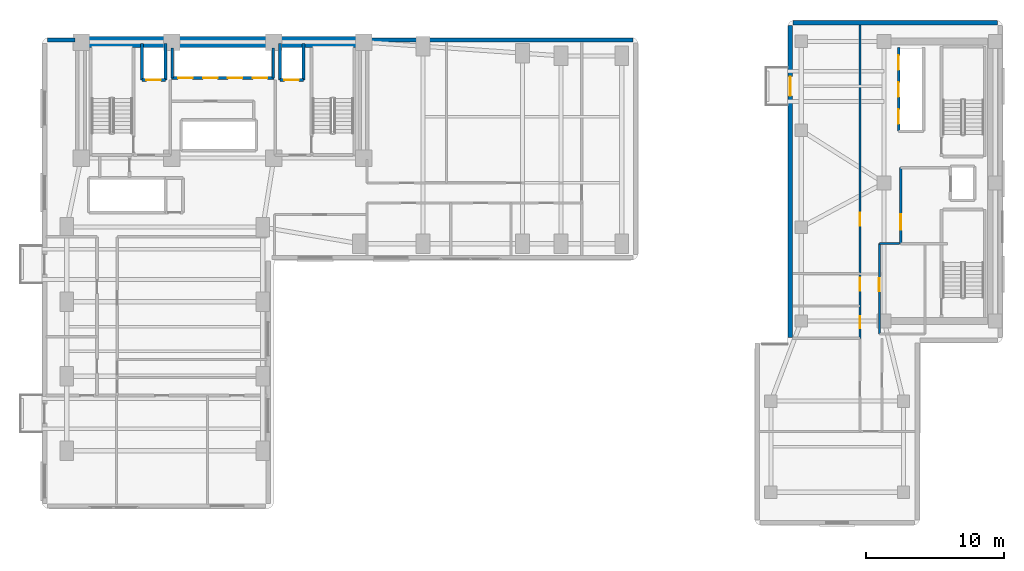
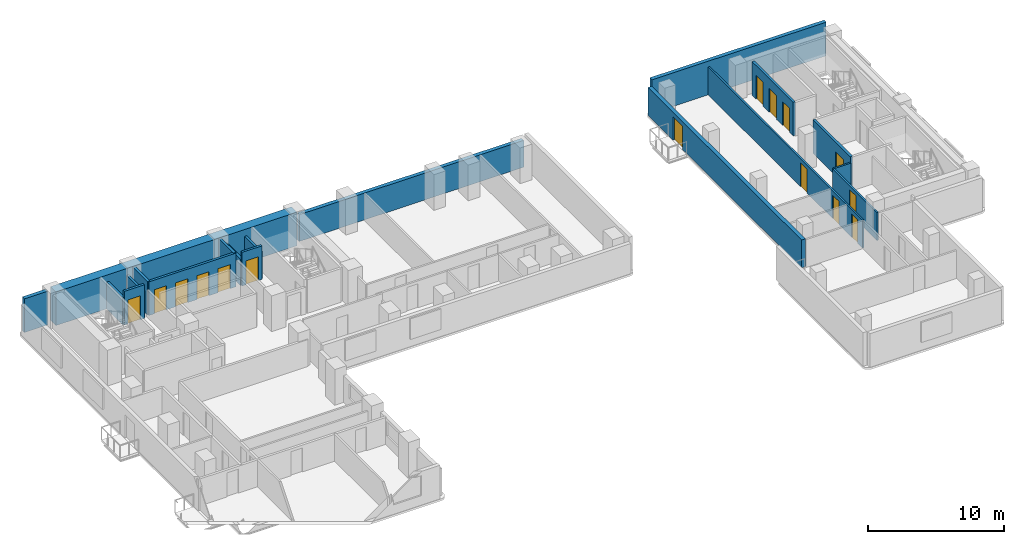
# One storey, part 11 of 15: 19 walls, 15 doors, 15 openings.
"""IFC4 building model written with IfcOpenShell, lengths in metres."""

from ifc_helpers import new_model, si_unit, direction, frame, frame_2d, origin, place, context, subcontext, project, spatial, rectangle, extrude, material, layer, layer_set, type_object, element, fill, save


model = new_model("IFC4")

# Units and contexts
model_context = context("Model", 3, precision=1e-05, world=origin(), true_north=direction((0.0, 1.0)))
body_context = subcontext(model_context, "Body", "Model", "MODEL_VIEW")
ifc_project = project(units=[si_unit("LENGTHUNIT", "METRE"), si_unit("AREAUNIT", "SQUARE_METRE"), si_unit("VOLUMEUNIT", "CUBIC_METRE"), si_unit("PLANEANGLEUNIT", "RADIAN"), si_unit("MASSUNIT", "GRAM", prefix="KILO")], contexts=[model_context])

# Site, building, storey
site_placement = place(None, origin())
site = spatial("IfcSite", under=ifc_project, at=site_placement, CompositionType="ELEMENT")
building_placement = place(site_placement, origin())
building = spatial("IfcBuilding", under=site, at=building_placement, Name="Kuzgunbayir Cultural Tower", CompositionType="ELEMENT")
storey_placement = place(building_placement, frame((0.0, 0.0, 59.60009765625)))
storey = spatial("IfcBuildingStorey", under=building, at=storey_placement, Name="L16", CompositionType="ELEMENT", Elevation=59.60009765625)

# Walls
ifc_material_1 = material(Name="Concrete C60/75", Category="concrete")
ifc_layer_1 = layer(ifc_material_1, 0.800048828125)
ifc_layer_set_1 = layer_set([ifc_layer_1], Name="Concrete C60/75")
wall_type_1 = type_object("IfcWallType", Name="WAL-CORE-800", PredefinedType="SHEAR", material=ifc_layer_set_1)
wall_1_placement = place(storey_placement, frame((6.449951171875, 42.199951171875, 0.0), z_axis=(0.0, 0.0, 1.0), x_axis=(1.0, 0.0, 0.0)))
element("IfcWall", 1, at=wall_1_placement, inside=storey, type_object=wall_type_1, Name="L16 T1 Core North Shear Wall", PredefinedType="SHEAR", context=body_context, shape_type="SweptSolid", body=[
    extrude(rectangle(XDim=20.449951171875, YDim=0.800048828125, at=frame_2d((10.22509765625, 0.0))), origin(), (0.0, 0.0, 1.0), 3.02001953125),
])
ifc_material_2 = material(Name="Travertine Buff Ashlar", Category="masonry")
ifc_layer_2 = layer(ifc_material_2, 0.320068359375)
ifc_layer_set_2 = layer_set([ifc_layer_2], Name="Travertine Buff Ashlar")
wall_type_2 = type_object("IfcWallType", Name="WAL-EXT-STONE-320", PredefinedType="STANDARD", material=ifc_layer_set_2)
wall_2_placement = place(storey_placement, frame((46.39990234375, 42.35009765625, 0.0), z_axis=(0.0, 0.0, 1.0), x_axis=(-1.0, 0.0, 0.0)))
element("IfcWall", 2, at=wall_2_placement, inside=storey, type_object=wall_type_2, Name="L16 North Wing B Limestone Wall", PredefinedType="STANDARD", context=body_context, shape_type="SweptSolid", body=[
    extrude(rectangle(XDim=19.0498046875, YDim=0.320068359375, at=frame_2d((9.52490234375, 0.0))), origin(), (0.0, 0.0, 1.0), 2.409912109375),
])
wall_3_placement = place(storey_placement, frame((6.0, 42.35009765625, 0.0), z_axis=(0.0, 0.0, 1.0), x_axis=(-1.0, 0.0, 0.0)))
element("IfcWall", 3, at=wall_3_placement, inside=storey, type_object=wall_type_2, Name="L16 Core North-West Spandrel Link", PredefinedType="STANDARD", context=body_context, shape_type="SweptSolid", body=[
    extrude(rectangle(XDim=2.0, YDim=0.320068359375, at=frame_2d((1.0, 0.0))), origin(), (0.0, 0.0, 1.0), 3.02001953125),
])

# Wall, opening, door
wall_4_placement = place(storey_placement, frame((57.800048828125, 43.39990234375, 0.0), z_axis=(0.0, 0.0, 1.0), x_axis=(0.0, -1.0, 0.0)))
wall_4 = element("IfcWall", 4, at=wall_4_placement, inside=storey, type_object=wall_type_2, Name="L16 Companion West Limestone Wall", PredefinedType="STANDARD", context=body_context, shape_type="SweptSolid", body=[
    extrude(rectangle(XDim=22.599853515625, YDim=0.320068359375, at=frame_2d((11.2998046875, 0.0))), origin(), (0.0, 0.0, 1.0), 2.5),
])
opening_1_placement = place(wall_4_placement, frame((3.699951171875, 0.0, 0.0)))
opening_1 = element("IfcOpeningElement", 5, at=opening_1_placement, cuts=wall_4, Name="Opening BD-15", PredefinedType="OPENING", context=body_context, shape_type="SweptSolid", body=[
    extrude(rectangle(XDim=1.39990234375, YDim=2.10009765625, at=frame_2d((0.699951171875, 1.050048828125))), frame((0.0, 0.169921875, 0.0), z_axis=(0.0, -1.0, 0.0), x_axis=(1.0, 0.0, 0.0)), (0.0, 0.0, 1.0), 0.340087890625),
])
ifc_material_3 = material(Name="Thermally Broken Glazed Aluminium", Category="aluminium")
door_type_1 = type_object("IfcDoorType", Name="DR-BALCONY-150", OperationType="SLIDING_TO_RIGHT", PredefinedType="DOOR", material=ifc_material_3)
door_1_placement = place(opening_1_placement, origin())
door_1 = element("IfcDoor", 6, at=door_1_placement, inside=storey, type_object=door_type_1, Name="L16 Companion Balcony Door BAL-L16-T2W3", OperationType="SLIDING_TO_RIGHT", OverallHeight=2.10009765625, OverallWidth=1.39990234375, PredefinedType="DOOR", context=body_context, shape_type="SweptSolid", body=[
    extrude(rectangle(XDim=1.39990234375, YDim=2.10009765625, at=frame_2d((0.699951171875, 1.050048828125))), frame((0.0, 0.02490234375, 0.0), z_axis=(0.0, -1.0, 0.0), x_axis=(1.0, 0.0, 0.0)), (0.0, 0.0, 1.0), 0.050048828125),
])
fill(opening_1, door_1)

# Wall
wall_5_placement = place(storey_placement, frame((72.800048828125, 43.60009765625, 0.0), z_axis=(0.0, 0.0, 1.0), x_axis=(-1.0, 0.0, 0.0)))
element("IfcWall", 7, at=wall_5_placement, inside=storey, type_object=wall_type_2, Name="L16 Companion North Limestone Wall", PredefinedType="STANDARD", context=body_context, shape_type="SweptSolid", body=[
    extrude(rectangle(XDim=14.800048828125, YDim=0.320068359375, at=frame_2d((7.39990234375, 0.0))), origin(), (0.0, 0.0, 1.0), 3.02001953125),
])

# Wall, opening, door
ifc_material_4 = material(Name="Acoustic Double-Stud Drywall", Category="gypsum")
ifc_layer_3 = layer(ifc_material_4, 0.14990234375)
ifc_layer_set_3 = layer_set([ifc_layer_3], Name="Acoustic Double-Stud Drywall")
wall_type_3 = type_object("IfcWallType", Name="WAL-PART-ACOUSTIC-150", PredefinedType="PARTITIONING", material=ifc_layer_set_3)
wall_6_placement = place(storey_placement, frame((64.25, 21.050048828125, 0.0), z_axis=(0.0, 0.0, 1.0), x_axis=(0.0, 1.0, 0.0)))
wall_6 = element("IfcWall", 8, at=wall_6_placement, inside=storey, type_object=wall_type_3, Name="L16 Companion Archive West Wall", PredefinedType="PARTITIONING", context=body_context, shape_type="SweptSolid", body=[
    extrude(rectangle(XDim=6.550048828125, YDim=0.14990234375, at=frame_2d((3.27490234375, 0.0))), origin(), (0.0, 0.0, 1.0), 2.5),
])
opening_2_placement = place(wall_6_placement, frame((3.10009765625, 0.0, 0.0)))
opening_2 = element("IfcOpeningElement", 9, at=opening_2_placement, cuts=wall_6, Name="Opening DI-90", PredefinedType="OPENING", context=body_context, shape_type="SweptSolid", body=[
    extrude(rectangle(XDim=0.949951171875, YDim=2.14990234375, at=frame_2d((0.47509765625, 1.074951171875))), frame((0.0, 0.0849609375, 0.0), z_axis=(0.0, -1.0, 0.0), x_axis=(1.0, 0.0, 0.0)), (0.0, 0.0, 1.0), 0.169921875),
])
ifc_material_5 = material(Name="Veneered Oak Single Leaf", Category="wood")
door_type_2 = type_object("IfcDoorType", Name="DR-INT-90", OperationType="NOTDEFINED", PredefinedType="DOOR", material=ifc_material_5)
door_2_placement = place(opening_2_placement, origin())
door_2 = element("IfcDoor", 10, at=door_2_placement, inside=storey, type_object=door_type_2, Name="L16 Companion Archive Door", OperationType="SINGLE_SWING_LEFT", OverallHeight=2.14990234375, OverallWidth=0.949951171875, PredefinedType="DOOR", context=body_context, shape_type="SweptSolid", body=[
    extrude(rectangle(XDim=0.949951171875, YDim=2.14990234375, at=frame_2d((0.47509765625, 1.074951171875))), frame((0.0, 0.02490234375, 0.0), z_axis=(0.0, -1.0, 0.0), x_axis=(1.0, 0.0, 0.0)), (0.0, 0.0, 1.0), 0.050048828125),
])
fill(opening_2, door_2)

# Wall
wall_7_placement = place(storey_placement, frame((64.25, 27.60009765625, 0.0), z_axis=(0.0, 0.0, 1.0), x_axis=(1.0, 0.0, 0.0)))
element("IfcWall", 11, at=wall_7_placement, inside=storey, type_object=wall_type_3, Name="L16 Companion Archive North Wall", PredefinedType="PARTITIONING", context=body_context, shape_type="SweptSolid", body=[
    extrude(rectangle(XDim=1.469970703125, YDim=0.14990234375, at=frame_2d((0.73486328125, 0.0))), origin(), (0.0, 0.0, 1.0), 2.5),
])

# Wall, openings, doors
wall_8_placement = place(storey_placement, frame((62.85009765625, 20.75, 0.0), z_axis=(0.0, 0.0, 1.0), x_axis=(0.0, 1.0, 0.0)))
wall_8 = element("IfcWall", 12, at=wall_8_placement, inside=storey, type_object=wall_type_3, Name="L16 Companion Corridor West Wall", PredefinedType="PARTITIONING", context=body_context, shape_type="SweptSolid", body=[
    extrude(rectangle(XDim=22.699951171875, YDim=0.14990234375, at=frame_2d((11.35009765625, 0.0))), origin(), (0.0, 0.0, 1.0), 2.5),
])
opening_3_placement = place(wall_8_placement, frame((0.72998046875, 0.0, 0.0)))
opening_3 = element("IfcOpeningElement", 13, at=opening_3_placement, cuts=wall_8, Name="Opening DW-85", PredefinedType="OPENING", context=body_context, shape_type="SweptSolid", body=[
    extrude(rectangle(XDim=0.85009765625, YDim=2.10009765625, at=frame_2d((0.425048828125, 1.050048828125))), frame((0.0, 0.0849609375, 0.0), z_axis=(0.0, -1.0, 0.0), x_axis=(1.0, 0.0, 0.0)), (0.0, 0.0, 1.0), 0.169921875),
])
opening_4_placement = place(wall_8_placement, frame((3.429931640625, 0.0, 0.0)))
opening_4 = element("IfcOpeningElement", 14, at=opening_4_placement, cuts=wall_8, Name="Opening DW-95", PredefinedType="OPENING", context=body_context, shape_type="SweptSolid", body=[
    extrude(rectangle(XDim=0.949951171875, YDim=2.10009765625, at=frame_2d((0.47509765625, 1.050048828125))), frame((0.0, 0.0849609375, 0.0), z_axis=(0.0, -1.0, 0.0), x_axis=(1.0, 0.0, 0.0)), (0.0, 0.0, 1.0), 0.169921875),
])
opening_5_placement = place(wall_8_placement, frame((8.14990234375, 0.0, 0.0)))
opening_5 = element("IfcOpeningElement", 15, at=opening_5_placement, cuts=wall_8, Name="Opening DI-90", PredefinedType="OPENING", context=body_context, shape_type="SweptSolid", body=[
    extrude(rectangle(XDim=0.949951171875, YDim=2.14990234375, at=frame_2d((0.47509765625, 1.074951171875))), frame((0.0, 0.0849609375, 0.0), z_axis=(0.0, -1.0, 0.0), x_axis=(1.0, 0.0, 0.0)), (0.0, 0.0, 1.0), 0.169921875),
])
door_3_placement = place(opening_5_placement, origin())
door_3 = element("IfcDoor", 16, at=door_3_placement, inside=storey, type_object=door_type_2, Name="L16 Companion Culinary Tasting Pantry 1 Door", OperationType="SINGLE_SWING_RIGHT", OverallHeight=2.14990234375, OverallWidth=0.949951171875, PredefinedType="DOOR", context=body_context, shape_type="SweptSolid", body=[
    extrude(rectangle(XDim=0.949951171875, YDim=2.14990234375, at=frame_2d((0.47509765625, 1.074951171875))), frame((0.0, 0.02490234375, 0.0), z_axis=(0.0, -1.0, 0.0), x_axis=(1.0, 0.0, 0.0)), (0.0, 0.0, 1.0), 0.050048828125),
])
fill(opening_5, door_3)
ifc_material_6 = material(Name="Laminate Moisture-Resistant Leaf", Category="wood")
door_type_3 = type_object("IfcDoorType", Name="DR-WET-85", OperationType="NOTDEFINED", PredefinedType="DOOR", material=ifc_material_6)
door_4_placement = place(opening_3_placement, origin())
door_4 = element("IfcDoor", 17, at=door_4_placement, inside=storey, type_object=door_type_3, Name="L16 Companion WC Door", OperationType="SINGLE_SWING_RIGHT", OverallHeight=2.10009765625, OverallWidth=0.85009765625, PredefinedType="DOOR", context=body_context, shape_type="SweptSolid", body=[
    extrude(rectangle(XDim=0.85009765625, YDim=2.10009765625, at=frame_2d((0.425048828125, 1.050048828125))), frame((0.0, 0.02490234375, 0.0), z_axis=(0.0, -1.0, 0.0), x_axis=(1.0, 0.0, 0.0)), (0.0, 0.0, 1.0), 0.050048828125),
])
fill(opening_3, door_4)
door_type_4 = type_object("IfcDoorType", Name="DR-WET-95", OperationType="NOTDEFINED", PredefinedType="DOOR", material=ifc_material_6)
door_5_placement = place(opening_4_placement, origin())
door_5 = element("IfcDoor", 18, at=door_5_placement, inside=storey, type_object=door_type_4, Name="L16 Companion Accessible WC Door", OperationType="SINGLE_SWING_LEFT", OverallHeight=2.10009765625, OverallWidth=0.949951171875, PredefinedType="DOOR", context=body_context, shape_type="SweptSolid", body=[
    extrude(rectangle(XDim=0.949951171875, YDim=2.10009765625, at=frame_2d((0.47509765625, 1.050048828125))), frame((0.0, 0.02490234375, 0.0), z_axis=(0.0, -1.0, 0.0), x_axis=(1.0, 0.0, 0.0)), (0.0, 0.0, 1.0), 0.050048828125),
])
fill(opening_4, door_5)

# Wall, opening, door
ifc_material_7 = material(Name="Aerated Concrete Blockwork", Category="masonry")
ifc_layer_4 = layer(ifc_material_7, 0.199951171875)
ifc_layer_set_4 = layer_set([ifc_layer_4], Name="Aerated Concrete Blockwork")
wall_type_4 = type_object("IfcWallType", Name="WAL-PART-FIRE-200", PredefinedType="PARTITIONING", material=ifc_layer_set_4)
wall_9_placement = place(storey_placement, frame((65.800048828125, 27.60009765625, 0.0), z_axis=(0.0, 0.0, 1.0), x_axis=(0.0, 1.0, 0.0)))
wall_9 = element("IfcWall", 19, at=wall_9_placement, inside=storey, type_object=wall_type_4, Name="L16 FFL-3 Lobby West Fire Wall", PredefinedType="PARTITIONING", context=body_context, shape_type="SweptSolid", body=[
    extrude(rectangle(XDim=5.5, YDim=0.199951171875, at=frame_2d((2.75, 0.0))), origin(), (0.0, 0.0, 1.0), 3.02001953125),
])
opening_6_placement = place(wall_9_placement, frame((1.0, 0.0, 0.0)))
opening_6 = element("IfcOpeningElement", 20, at=opening_6_placement, cuts=wall_9, Name="Opening DR-FFL-90", PredefinedType="OPENING", context=body_context, shape_type="SweptSolid", body=[
    extrude(rectangle(XDim=1.14990234375, YDim=2.14990234375, at=frame_2d((0.574951171875, 1.074951171875))), frame((0.0, 0.10986328125, 0.0), z_axis=(0.0, -1.0, 0.0), x_axis=(1.0, 0.0, 0.0)), (0.0, 0.0, 1.0), 0.219970703125),
])
ifc_material_8 = material(Name="Steel S355J2", Category="steel")
door_type_5 = type_object("IfcDoorType", Name="DR-FFL-90", OperationType="NOTDEFINED", PredefinedType="DOOR", material=ifc_material_8)
door_6_placement = place(opening_6_placement, origin())
door_6 = element("IfcDoor", 21, at=door_6_placement, inside=storey, type_object=door_type_5, Name="L16 Firefighting Lobby 3 Door", OperationType="SINGLE_SWING_RIGHT", OverallHeight=2.14990234375, OverallWidth=1.14990234375, PredefinedType="DOOR", context=body_context, shape_type="SweptSolid", body=[
    extrude(rectangle(XDim=1.14990234375, YDim=2.14990234375, at=frame_2d((0.574951171875, 1.074951171875))), frame((0.0, 0.02490234375, 0.0), z_axis=(0.0, -1.0, 0.0), x_axis=(1.0, 0.0, 0.0)), (0.0, 0.0, 1.0), 0.050048828125),
])
fill(opening_6, door_6)

ifc_material_9 = material(Name="Concrete C40/50", Category="concrete")
ifc_layer_5 = layer(ifc_material_9, 0.199951171875)
ifc_layer_set_5 = layer_set([ifc_layer_5], Name="Concrete C40/50")
wall_type_5 = type_object("IfcWallType", Name="WAL-SHAFT-200", PredefinedType="MOVABLE", material=ifc_layer_set_5)
wall_10_placement = place(storey_placement, frame((10.85009765625, 39.449951171875, 0.0), z_axis=(0.0, 0.0, 1.0), x_axis=(1.0, 0.0, 0.0)))
wall_10 = element("IfcWall", 22, at=wall_10_placement, inside=storey, type_object=wall_type_5, Name="L16 FFL-1 Lift Front Wall", PredefinedType="MOVABLE", context=body_context, shape_type="SweptSolid", body=[
    extrude(rectangle(XDim=1.699951171875, YDim=0.199951171875, at=frame_2d((0.85009765625, 0.0))), origin(), (0.0, 0.0, 1.0), 3.02001953125),
])
opening_7_placement = place(wall_10_placement, frame((0.320068359375, 0.0, 0.0)))
opening_7 = element("IfcOpeningElement", 23, at=opening_7_placement, cuts=wall_10, Name="Opening LD", PredefinedType="OPENING", context=body_context, shape_type="SweptSolid", body=[
    extrude(rectangle(XDim=1.050048828125, YDim=2.14990234375, at=frame_2d((0.52490234375, 1.074951171875))), frame((0.0, 0.10986328125, 0.0), z_axis=(0.0, -1.0, 0.0), x_axis=(1.0, 0.0, 0.0)), (0.0, 0.0, 1.0), 0.219970703125),
])
ifc_material_10 = material(Name="Brushed Stainless Steel", Category="steel")
door_type_6 = type_object("IfcDoorType", Name="DR-LIFT-LANDING", OperationType="SLIDING_TO_LEFT", PredefinedType="DOOR", material=ifc_material_10)
door_7_placement = place(opening_7_placement, origin())
door_7 = element("IfcDoor", 24, at=door_7_placement, inside=storey, type_object=door_type_6, Name="L16 Lift FFL-1 Landing Door", OperationType="SLIDING_TO_LEFT", OverallHeight=2.14990234375, OverallWidth=1.050048828125, PredefinedType="DOOR", context=body_context, shape_type="SweptSolid", body=[
    extrude(rectangle(XDim=1.050048828125, YDim=2.14990234375, at=frame_2d((0.52490234375, 1.074951171875))), frame((0.0, 0.02490234375, 0.0), z_axis=(0.0, -1.0, 0.0), x_axis=(1.0, 0.0, 0.0)), (0.0, 0.0, 1.0), 0.050048828125),
])
fill(opening_7, door_7)

wall_11_placement = place(storey_placement, frame((20.85009765625, 39.449951171875, 0.0), z_axis=(0.0, 0.0, 1.0), x_axis=(1.0, 0.0, 0.0)))
wall_11 = element("IfcWall", 25, at=wall_11_placement, inside=storey, type_object=wall_type_5, Name="L16 FFL-2 Lift Front Wall", PredefinedType="MOVABLE", context=body_context, shape_type="SweptSolid", body=[
    extrude(rectangle(XDim=1.699951171875, YDim=0.199951171875, at=frame_2d((0.85009765625, 0.0))), origin(), (0.0, 0.0, 1.0), 3.02001953125),
])
opening_8_placement = place(wall_11_placement, frame((0.320068359375, 0.0, 0.0)))
opening_8 = element("IfcOpeningElement", 26, at=opening_8_placement, cuts=wall_11, Name="Opening LD", PredefinedType="OPENING", context=body_context, shape_type="SweptSolid", body=[
    extrude(rectangle(XDim=1.050048828125, YDim=2.14990234375, at=frame_2d((0.52490234375, 1.074951171875))), frame((0.0, 0.10986328125, 0.0), z_axis=(0.0, -1.0, 0.0), x_axis=(1.0, 0.0, 0.0)), (0.0, 0.0, 1.0), 0.219970703125),
])
door_8_placement = place(opening_8_placement, origin())
door_8 = element("IfcDoor", 27, at=door_8_placement, inside=storey, type_object=door_type_6, Name="L16 Lift FFL-2 Landing Door", OperationType="SLIDING_TO_LEFT", OverallHeight=2.14990234375, OverallWidth=1.050048828125, PredefinedType="DOOR", context=body_context, shape_type="SweptSolid", body=[
    extrude(rectangle(XDim=1.050048828125, YDim=2.14990234375, at=frame_2d((0.52490234375, 1.074951171875))), frame((0.0, 0.02490234375, 0.0), z_axis=(0.0, -1.0, 0.0), x_axis=(1.0, 0.0, 0.0)), (0.0, 0.0, 1.0), 0.050048828125),
])
fill(opening_8, door_8)

# Walls
for number, where, z_axis, x_axis, name in (
    (28, (10.85009765625, 39.449951171875, 0.0), (0.0, 0.0, 1.0), (0.0, 1.0, 0.0), "L16 FFL-1 Shaft West Wall"),
    (29, (12.550048828125, 39.449951171875, 0.0), (0.0, 0.0, 1.0), (0.0, 1.0, 0.0), "L16 FFL-1 Shaft East Wall"),
    (30, (20.85009765625, 39.449951171875, 0.0), (0.0, 0.0, 1.0), (0.0, 1.0, 0.0), "L16 FFL-2 Shaft West Wall"),
    (31, (22.550048828125, 39.449951171875, 0.0), (0.0, 0.0, 1.0), (0.0, 1.0, 0.0), "L16 FFL-2 Shaft East Wall"),
):
    element("IfcWall", number, at=place(storey_placement, frame(where, z_axis=z_axis, x_axis=x_axis)), inside=storey, type_object=wall_type_5, Name=name, PredefinedType="MOVABLE", context=body_context, shape_type="SweptSolid", body=[
        extrude(rectangle(XDim=2.650146484375, YDim=0.199951171875, at=frame_2d((1.3251953125, 0.0))), origin(), (0.0, 0.0, 1.0), 2.409912109375),
    ])

# Wall, openings, doors
wall_12_placement = place(storey_placement, frame((13.0, 39.60009765625, 0.0), z_axis=(0.0, 0.0, 1.0), x_axis=(1.0, 0.0, 0.0)))
wall_12 = element("IfcWall", 32, at=wall_12_placement, inside=storey, type_object=wall_type_5, Name="L16 Low-Rise Lift Front Wall", PredefinedType="MOVABLE", context=body_context, shape_type="SweptSolid", body=[
    extrude(rectangle(XDim=7.39990234375, YDim=0.199951171875, at=frame_2d((3.699951171875, 0.0))), origin(), (0.0, 0.0, 1.0), 3.02001953125),
])
opening_9_placement = place(wall_12_placement, frame((0.469970703125, 0.0, 0.0)))
opening_9 = element("IfcOpeningElement", 33, at=opening_9_placement, cuts=wall_12, Name="Opening LD", PredefinedType="OPENING", context=body_context, shape_type="SweptSolid", body=[
    extrude(rectangle(XDim=1.050048828125, YDim=2.14990234375, at=frame_2d((0.52490234375, 1.074951171875))), frame((0.0, 0.10986328125, 0.0), z_axis=(0.0, -1.0, 0.0), x_axis=(1.0, 0.0, 0.0)), (0.0, 0.0, 1.0), 0.219970703125),
])
opening_10_placement = place(wall_12_placement, frame((2.280029296875, 0.0, 0.0)))
opening_10 = element("IfcOpeningElement", 34, at=opening_10_placement, cuts=wall_12, Name="Opening LD", PredefinedType="OPENING", context=body_context, shape_type="SweptSolid", body=[
    extrude(rectangle(XDim=1.050048828125, YDim=2.14990234375, at=frame_2d((0.52490234375, 1.074951171875))), frame((0.0, 0.10986328125, 0.0), z_axis=(0.0, -1.0, 0.0), x_axis=(1.0, 0.0, 0.0)), (0.0, 0.0, 1.0), 0.219970703125),
])
opening_11_placement = place(wall_12_placement, frame((4.080078125, 0.0, 0.0)))
opening_11 = element("IfcOpeningElement", 35, at=opening_11_placement, cuts=wall_12, Name="Opening LD", PredefinedType="OPENING", context=body_context, shape_type="SweptSolid", body=[
    extrude(rectangle(XDim=1.050048828125, YDim=2.14990234375, at=frame_2d((0.52490234375, 1.074951171875))), frame((0.0, 0.10986328125, 0.0), z_axis=(0.0, -1.0, 0.0), x_axis=(1.0, 0.0, 0.0)), (0.0, 0.0, 1.0), 0.219970703125),
])
opening_12_placement = place(wall_12_placement, frame((5.8798828125, 0.0, 0.0)))
opening_12 = element("IfcOpeningElement", 36, at=opening_12_placement, cuts=wall_12, Name="Opening LD", PredefinedType="OPENING", context=body_context, shape_type="SweptSolid", body=[
    extrude(rectangle(XDim=1.050048828125, YDim=2.14990234375, at=frame_2d((0.52490234375, 1.074951171875))), frame((0.0, 0.10986328125, 0.0), z_axis=(0.0, -1.0, 0.0), x_axis=(1.0, 0.0, 0.0)), (0.0, 0.0, 1.0), 0.219970703125),
])
door_9_placement = place(opening_9_placement, origin())
door_9 = element("IfcDoor", 37, at=door_9_placement, inside=storey, type_object=door_type_6, Name="L16 Lift PL-1 Landing Door", OperationType="SLIDING_TO_LEFT", OverallHeight=2.14990234375, OverallWidth=1.050048828125, PredefinedType="DOOR", context=body_context, shape_type="SweptSolid", body=[
    extrude(rectangle(XDim=1.050048828125, YDim=2.14990234375, at=frame_2d((0.52490234375, 1.074951171875))), frame((0.0, 0.02490234375, 0.0), z_axis=(0.0, -1.0, 0.0), x_axis=(1.0, 0.0, 0.0)), (0.0, 0.0, 1.0), 0.050048828125),
])
fill(opening_9, door_9)
door_10_placement = place(opening_10_placement, origin())
door_10 = element("IfcDoor", 38, at=door_10_placement, inside=storey, type_object=door_type_6, Name="L16 Lift PL-2 Landing Door", OperationType="SLIDING_TO_LEFT", OverallHeight=2.14990234375, OverallWidth=1.050048828125, PredefinedType="DOOR", context=body_context, shape_type="SweptSolid", body=[
    extrude(rectangle(XDim=1.050048828125, YDim=2.14990234375, at=frame_2d((0.52490234375, 1.074951171875))), frame((0.0, 0.02490234375, 0.0), z_axis=(0.0, -1.0, 0.0), x_axis=(1.0, 0.0, 0.0)), (0.0, 0.0, 1.0), 0.050048828125),
])
fill(opening_10, door_10)
door_11_placement = place(opening_11_placement, origin())
door_11 = element("IfcDoor", 39, at=door_11_placement, inside=storey, type_object=door_type_6, Name="L16 Lift PL-3 Landing Door", OperationType="SLIDING_TO_LEFT", OverallHeight=2.14990234375, OverallWidth=1.050048828125, PredefinedType="DOOR", context=body_context, shape_type="SweptSolid", body=[
    extrude(rectangle(XDim=1.050048828125, YDim=2.14990234375, at=frame_2d((0.52490234375, 1.074951171875))), frame((0.0, 0.02490234375, 0.0), z_axis=(0.0, -1.0, 0.0), x_axis=(1.0, 0.0, 0.0)), (0.0, 0.0, 1.0), 0.050048828125),
])
fill(opening_11, door_11)
door_12_placement = place(opening_12_placement, origin())
door_12 = element("IfcDoor", 40, at=door_12_placement, inside=storey, type_object=door_type_6, Name="L16 Lift PL-4 Landing Door", OperationType="SLIDING_TO_LEFT", OverallHeight=2.14990234375, OverallWidth=1.050048828125, PredefinedType="DOOR", context=body_context, shape_type="SweptSolid", body=[
    extrude(rectangle(XDim=1.050048828125, YDim=2.14990234375, at=frame_2d((0.52490234375, 1.074951171875))), frame((0.0, 0.02490234375, 0.0), z_axis=(0.0, -1.0, 0.0), x_axis=(1.0, 0.0, 0.0)), (0.0, 0.0, 1.0), 0.050048828125),
])
fill(opening_12, door_12)

# Walls
for number, where, z_axis, x_axis, name in (
    (41, (13.050048828125, 39.60009765625, 0.0), (0.0, 0.0, 1.0), (0.0, 1.0, 0.0), "L16 Low-Rise Lift Shaft West Wall"),
    (42, (20.35009765625, 39.60009765625, 0.0), (0.0, 0.0, 1.0), (0.0, 1.0, 0.0), "L16 Low-Rise Lift Shaft East Wall"),
):
    element("IfcWall", number, at=place(storey_placement, frame(where, z_axis=z_axis, x_axis=x_axis)), inside=storey, type_object=wall_type_5, Name=name, PredefinedType="MOVABLE", context=body_context, shape_type="SweptSolid", body=[
        extrude(rectangle(XDim=2.179931640625, YDim=0.199951171875, at=frame_2d((1.08984375, 0.0))), origin(), (0.0, 0.0, 1.0), 3.02001953125),
    ])

# Wall, openings, doors
wall_13_placement = place(storey_placement, frame((65.64990234375, 35.75, 0.0), z_axis=(0.0, 0.0, 1.0), x_axis=(0.0, 1.0, 0.0)))
wall_13 = element("IfcWall", 43, at=wall_13_placement, inside=storey, type_object=wall_type_5, Name="L16 Companion Lift Front Wall", PredefinedType="MOVABLE", context=body_context, shape_type="SweptSolid", body=[
    extrude(rectangle(XDim=6.050048828125, YDim=0.199951171875, at=frame_2d((3.02490234375, 0.0))), origin(), (0.0, 0.0, 1.0), 3.02001953125),
])
opening_13_placement = place(wall_13_placement, frame((0.52001953125, 0.0, 0.0)))
opening_13 = element("IfcOpeningElement", 44, at=opening_13_placement, cuts=wall_13, Name="Opening LD", PredefinedType="OPENING", context=body_context, shape_type="SweptSolid", body=[
    extrude(rectangle(XDim=1.050048828125, YDim=2.14990234375, at=frame_2d((0.52490234375, 1.074951171875))), frame((0.0, 0.10986328125, 0.0), z_axis=(0.0, -1.0, 0.0), x_axis=(1.0, 0.0, 0.0)), (0.0, 0.0, 1.0), 0.219970703125),
])
opening_14_placement = place(wall_13_placement, frame((2.47998046875, 0.0, 0.0)))
opening_14 = element("IfcOpeningElement", 45, at=opening_14_placement, cuts=wall_13, Name="Opening LD", PredefinedType="OPENING", context=body_context, shape_type="SweptSolid", body=[
    extrude(rectangle(XDim=1.050048828125, YDim=2.14990234375, at=frame_2d((0.52490234375, 1.074951171875))), frame((0.0, 0.10986328125, 0.0), z_axis=(0.0, -1.0, 0.0), x_axis=(1.0, 0.0, 0.0)), (0.0, 0.0, 1.0), 0.219970703125),
])
opening_15_placement = place(wall_13_placement, frame((4.429931640625, 0.0, 0.0)))
opening_15 = element("IfcOpeningElement", 46, at=opening_15_placement, cuts=wall_13, Name="Opening LD", PredefinedType="OPENING", context=body_context, shape_type="SweptSolid", body=[
    extrude(rectangle(XDim=1.050048828125, YDim=2.14990234375, at=frame_2d((0.52490234375, 1.074951171875))), frame((0.0, 0.10986328125, 0.0), z_axis=(0.0, -1.0, 0.0), x_axis=(1.0, 0.0, 0.0)), (0.0, 0.0, 1.0), 0.219970703125),
])
door_13_placement = place(opening_13_placement, origin())
door_13 = element("IfcDoor", 47, at=door_13_placement, inside=storey, type_object=door_type_6, Name="L16 Lift PC-1 Landing Door", OperationType="SLIDING_TO_LEFT", OverallHeight=2.14990234375, OverallWidth=1.050048828125, PredefinedType="DOOR", context=body_context, shape_type="SweptSolid", body=[
    extrude(rectangle(XDim=1.050048828125, YDim=2.14990234375, at=frame_2d((0.52490234375, 1.074951171875))), frame((0.0, 0.02490234375, 0.0), z_axis=(0.0, -1.0, 0.0), x_axis=(1.0, 0.0, 0.0)), (0.0, 0.0, 1.0), 0.050048828125),
])
fill(opening_13, door_13)
door_14_placement = place(opening_14_placement, origin())
door_14 = element("IfcDoor", 48, at=door_14_placement, inside=storey, type_object=door_type_6, Name="L16 Lift PC-2 Landing Door", OperationType="SLIDING_TO_LEFT", OverallHeight=2.14990234375, OverallWidth=1.050048828125, PredefinedType="DOOR", context=body_context, shape_type="SweptSolid", body=[
    extrude(rectangle(XDim=1.050048828125, YDim=2.14990234375, at=frame_2d((0.52490234375, 1.074951171875))), frame((0.0, 0.02490234375, 0.0), z_axis=(0.0, -1.0, 0.0), x_axis=(1.0, 0.0, 0.0)), (0.0, 0.0, 1.0), 0.050048828125),
])
fill(opening_14, door_14)
door_15_placement = place(opening_15_placement, origin())
door_15 = element("IfcDoor", 49, at=door_15_placement, inside=storey, type_object=door_type_6, Name="L16 Lift PC-3 Landing Door", OperationType="SLIDING_TO_LEFT", OverallHeight=2.14990234375, OverallWidth=1.050048828125, PredefinedType="DOOR", context=body_context, shape_type="SweptSolid", body=[
    extrude(rectangle(XDim=1.050048828125, YDim=2.14990234375, at=frame_2d((0.52490234375, 1.074951171875))), frame((0.0, 0.02490234375, 0.0), z_axis=(0.0, -1.0, 0.0), x_axis=(1.0, 0.0, 0.0)), (0.0, 0.0, 1.0), 0.050048828125),
])
fill(opening_15, door_15)

save(model, "model.ifc")
